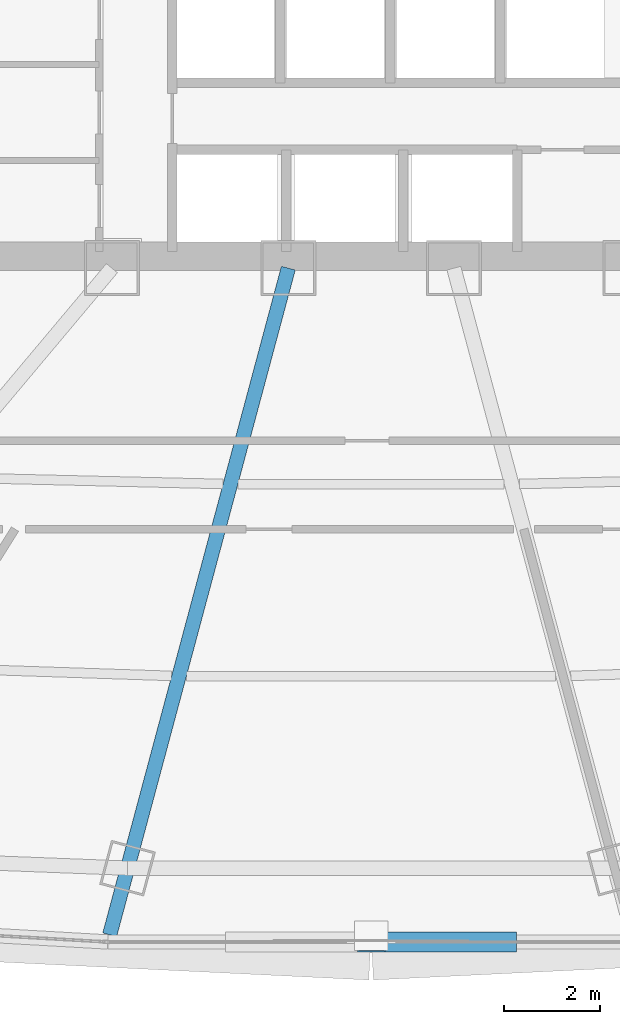
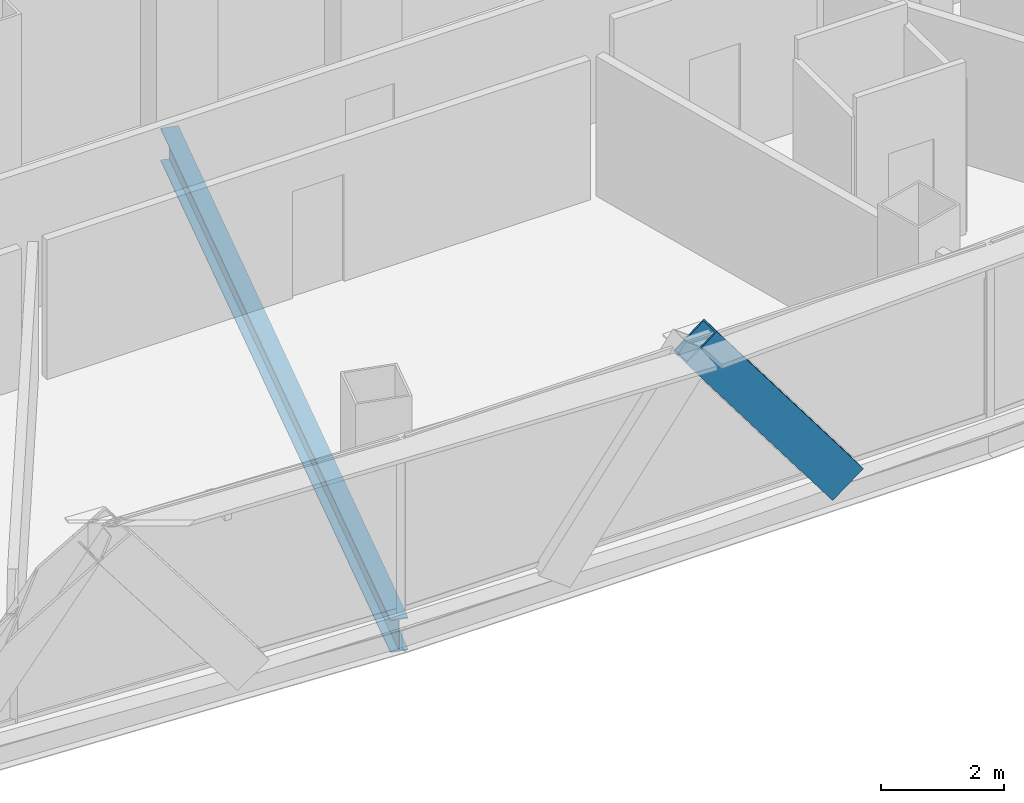
# One storey, part 11 of 39: 1 beam, 1 member.
"""IFC4 building model written with IfcOpenShell, lengths in metres."""

from ifc_helpers import new_model, si_unit, direction, frame, origin, origin_2d, place, context, subcontext, project, spatial, hollow_rectangle, i_section, extrude, source, transform, mapped, material, material_profile, profile_set, type_object, element, save


model = new_model("IFC4")

# Units and contexts
model_context = context("Model", 3, precision=1e-05, world=origin(), true_north=direction((0.0, 1.0)))
body_context = subcontext(model_context, "Body", "Model", "MODEL_VIEW")
ifc_project = project(units=[si_unit("LENGTHUNIT", "METRE"), si_unit("AREAUNIT", "SQUARE_METRE"), si_unit("VOLUMEUNIT", "CUBIC_METRE"), si_unit("PLANEANGLEUNIT", "RADIAN"), si_unit("MASSUNIT", "GRAM", prefix="KILO"), si_unit("THERMODYNAMICTEMPERATUREUNIT", "KELVIN"), si_unit("POWERUNIT", "WATT")], contexts=[model_context])

# Site, building, storey
site_placement = place(None, origin())
site = spatial("IfcSite", under=ifc_project, at=site_placement, CompositionType="ELEMENT")
building_placement = place(site_placement, origin())
building = spatial("IfcBuilding", under=site, at=building_placement, Name="Yunzhuo Pagoda Commons", CompositionType="ELEMENT")
storey_placement = place(building_placement, frame((0.0, 0.0, 148.22998046875)))
storey = spatial("IfcBuildingStorey", under=building, at=storey_placement, Name="L37", CompositionType="ELEMENT", Elevation=148.22998046875)

# Beam
ifc_material_1 = material(Name="Structural steel Q355B", Category="steel")
ifc_material_profile_1 = material_profile(ifc_material_1, i_section(OverallWidth=0.300048828125, OverallDepth=0.64990234375, WebThickness=0.012939453125, FlangeThickness=0.02197265625, at=origin_2d()), Name="Structural steel Q355B")
ifc_profile_set_1 = profile_set([ifc_material_profile_1], Name="Structural steel Q355B")
beam_type = type_object("IfcBeamType", Name="B-RG2 Beam HN 650x300x13x22", PredefinedType="BEAM", material=ifc_profile_set_1)
shared_shape_1 = source(origin(), body_context, "Body", "SweptSolid", [
    extrude(i_section(OverallWidth=0.300048828125, OverallDepth=0.64990234375, WebThickness=0.012939453125, FlangeThickness=0.02197265625, at=origin_2d()), origin(), (0.0, 0.0, 1.0), 14.41064453125),
])
beam_placement = place(storey_placement, frame((42.5419921875, 13.330322265625, -0.584716796875), z_axis=(0.258832904267, 0.965922112631, 0.0), x_axis=(-0.965922112631, 0.258832904267, 0.0)))
element("IfcBeam", 1, at=beam_placement, inside=storey, type_object=beam_type, Name="L37 radial floor girder F1C2", PredefinedType="BEAM", context=body_context, shape_type="MappedRepresentation", body=[
    mapped(shared_shape_1, transform((0.0, 0.0, 0.0), scale=1.0)),
])

# Member
ifc_material_2 = material(Name="Structural steel Q420B", Category="steel")
ifc_material_profile_2 = material_profile(ifc_material_2, hollow_rectangle(XDim=0.419921875, YDim=0.719970703125, WallThickness=0.028076171875, at=origin_2d()), Name="Structural steel Q420B")
ifc_profile_set_2 = profile_set([ifc_material_profile_2], Name="Structural steel Q420B")
member_type = type_object("IfcMemberType", Name="M-DL1 Brace BOX 720x420x28", PredefinedType="BRACE", material=ifc_profile_set_2)
shared_shape_2 = source(origin(), body_context, "Body", "SweptSolid", [
    extrude(hollow_rectangle(XDim=0.419921875, YDim=0.719970703125, WallThickness=0.028076171875, at=origin_2d()), origin(), (0.0, 0.0, 1.0), 4.59326171875),
])
member_placement = place(storey_placement, frame((50.7490234375, 13.1806640625, -0.260009765625), z_axis=(-0.598476678281, 0.0, 0.801140228395), x_axis=(0.0, -1.0, 0.0)))
element("IfcMember", 2, at=member_placement, inside=storey, type_object=member_type, Name="L37 facade diamond brace F1.2R", PredefinedType="BRACE", context=body_context, shape_type="MappedRepresentation", body=[
    mapped(shared_shape_2, transform((0.0, 0.0, 0.0), scale=1.0)),
])

save(model, "model.ifc")
